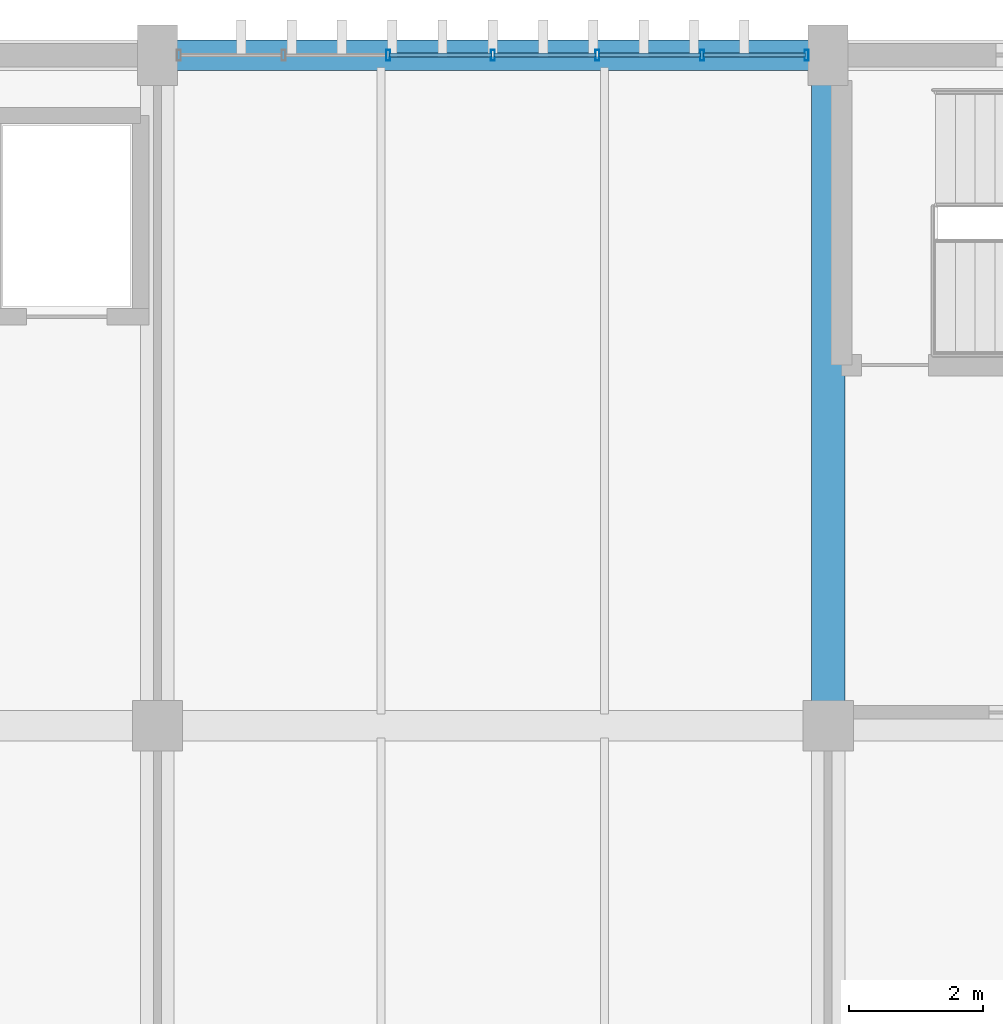
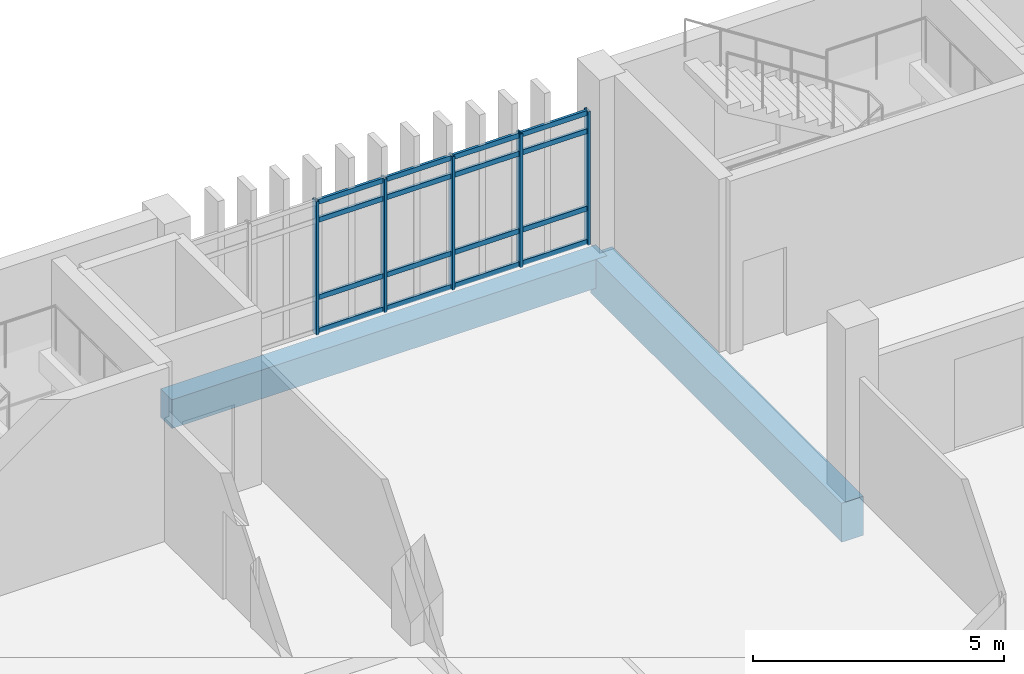
# One storey, part 57 of 111: 21 members, 2 beams, 1 element without a shape of its own.
"""IFC4 building model written with IfcOpenShell, lengths in metres."""

from ifc_helpers import new_model, si_unit, direction, frame, origin, origin_2d, place, context, subcontext, project, spatial, rectangle, hollow_rectangle, extrude, material, layer, layer_set, material_profile, profile_set, type_object, element, aggregate, save


model = new_model("IFC4")

# Units and contexts
model_context = context("Model", 3, precision=1e-05, world=origin(), true_north=direction((0.0, 1.0)))
body_context = subcontext(model_context, "Body", "Model", "MODEL_VIEW")
ifc_project = project(units=[si_unit("LENGTHUNIT", "METRE"), si_unit("AREAUNIT", "SQUARE_METRE"), si_unit("VOLUMEUNIT", "CUBIC_METRE"), si_unit("PLANEANGLEUNIT", "RADIAN"), si_unit("MASSUNIT", "GRAM", prefix="KILO")], contexts=[model_context])

# Site, building, storey
site_placement = place(None, origin())
site = spatial("IfcSite", under=ifc_project, at=site_placement, CompositionType="ELEMENT")
building_placement = place(site_placement, origin())
building = spatial("IfcBuilding", under=site, at=building_placement, Name="Mersad Railyard Sports Hall", CompositionType="ELEMENT")
storey_placement = place(building_placement, frame((0.0, 0.0, 9.0)))
storey = spatial("IfcBuildingStorey", under=building, at=storey_placement, Name="L02", CompositionType="ELEMENT", Elevation=9.0)

# Curtain wall, members
ifc_material_1 = material(Name="Aluminium 6063-T6", Category="aluminium")
ifc_layer = layer(ifc_material_1, 0.159912109375)
ifc_layer_set = layer_set([ifc_layer], Name="Aluminium 6063-T6")
curtain_wall_type = type_object("IfcCurtainWallType", Name="ARC-CW-CW53", PredefinedType="USERDEFINED", material=ifc_layer_set)
curtain_wall_placement = place(storey_placement, origin())
curtain_wall = element("IfcCurtainWall", 1, at=curtain_wall_placement, inside=storey, type_object=curtain_wall_type, Name="Curtain wall CW53-0141", ObjectType="CURTAIN WALL", PredefinedType="USERDEFINED")
ifc_material_profile_1 = material_profile(ifc_material_1, hollow_rectangle(XDim=0.06005859375, YDim=0.159912109375, WallThickness=0.00390625, at=origin_2d()), Name="AL MULLION 60x160x4")
ifc_profile_set_1 = profile_set([ifc_material_profile_1], Name="Aluminium 6063-T6")
member_type_1 = type_object("IfcMemberType", Name="ARC-CW-MUL01", PredefinedType="MULLION", material=ifc_profile_set_1)
member_1_placement = place(storey_placement, frame((104.43994140625, 115.0, -0.02001953125), z_axis=(0.0, 0.0, 1.0), x_axis=(1.0, 0.0, 0.0)))
member_1 = element("IfcMember", 2, at=member_1_placement, type_object=member_type_1, Name="CW53 Mullion 3", PredefinedType="MULLION", context=body_context, shape_type="SweptSolid", body=[
    extrude(hollow_rectangle(XDim=0.06005859375, YDim=0.159912109375, WallThickness=0.00390625, at=origin_2d()), origin(), (0.0, 0.0, 1.0), 3.25),
])
member_2_placement = place(storey_placement, frame((106.0, 115.0, -0.02001953125), z_axis=(0.0, 0.0, 1.0), x_axis=(1.0, 0.0, 0.0)))
member_2 = element("IfcMember", 3, at=member_2_placement, type_object=member_type_1, Name="CW53 Mullion 4", PredefinedType="MULLION", context=body_context, shape_type="SweptSolid", body=[
    extrude(hollow_rectangle(XDim=0.06005859375, YDim=0.159912109375, WallThickness=0.00390625, at=origin_2d()), origin(), (0.0, 0.0, 1.0), 3.25),
])
member_3_placement = place(storey_placement, frame((107.56005859375, 115.0, -0.02001953125), z_axis=(0.0, 0.0, 1.0), x_axis=(1.0, 0.0, 0.0)))
member_3 = element("IfcMember", 4, at=member_3_placement, type_object=member_type_1, Name="CW53 Mullion 5", PredefinedType="MULLION", context=body_context, shape_type="SweptSolid", body=[
    extrude(hollow_rectangle(XDim=0.06005859375, YDim=0.159912109375, WallThickness=0.00390625, at=origin_2d()), origin(), (0.0, 0.0, 1.0), 3.25),
])
member_4_placement = place(storey_placement, frame((109.1201171875, 115.0, -0.02001953125), z_axis=(0.0, 0.0, 1.0), x_axis=(1.0, 0.0, 0.0)))
member_4 = element("IfcMember", 5, at=member_4_placement, type_object=member_type_1, Name="CW53 Mullion 6", PredefinedType="MULLION", context=body_context, shape_type="SweptSolid", body=[
    extrude(hollow_rectangle(XDim=0.06005859375, YDim=0.159912109375, WallThickness=0.00390625, at=origin_2d()), origin(), (0.0, 0.0, 1.0), 3.25),
])
member_5_placement = place(storey_placement, frame((110.679931640625, 115.0, -0.02001953125), z_axis=(0.0, 0.0, 1.0), x_axis=(1.0, 0.0, 0.0)))
member_5 = element("IfcMember", 6, at=member_5_placement, type_object=member_type_1, Name="CW53 Mullion 7", PredefinedType="MULLION", context=body_context, shape_type="SweptSolid", body=[
    extrude(hollow_rectangle(XDim=0.06005859375, YDim=0.159912109375, WallThickness=0.00390625, at=origin_2d()), origin(), (0.0, 0.0, 1.0), 3.25),
])
ifc_material_profile_2 = material_profile(ifc_material_1, hollow_rectangle(XDim=0.06005859375, YDim=0.1201171875, WallThickness=0.00390625, at=origin_2d()), Name="AL TRANSOM 60x120x4")
ifc_profile_set_2 = profile_set([ifc_material_profile_2], Name="Aluminium 6063-T6")
member_type_2 = type_object("IfcMemberType", Name="ARC-CW-TRN01", PredefinedType="USERDEFINED", material=ifc_profile_set_2)
member_6_placement = place(storey_placement, frame((104.4599609375, 115.0, 0.0400390625), z_axis=(1.0, 0.0, 0.0), x_axis=(0.0, 1.0, 0.0)))
member_6 = element("IfcMember", 7, at=member_6_placement, type_object=member_type_2, Name="CW53 Transom 1-3", ObjectType="TRANSOM", PredefinedType="USERDEFINED", context=body_context, shape_type="SweptSolid", body=[
    extrude(hollow_rectangle(XDim=0.06005859375, YDim=0.1201171875, WallThickness=0.00390625, at=origin_2d()), origin(), (0.0, 0.0, 1.0), 1.52001953125),
])
member_7_placement = place(storey_placement, frame((106.02001953125, 115.0, 0.0400390625), z_axis=(1.0, 0.0, 0.0), x_axis=(0.0, 1.0, 0.0)))
member_7 = element("IfcMember", 8, at=member_7_placement, type_object=member_type_2, Name="CW53 Transom 1-4", ObjectType="TRANSOM", PredefinedType="USERDEFINED", context=body_context, shape_type="SweptSolid", body=[
    extrude(hollow_rectangle(XDim=0.06005859375, YDim=0.1201171875, WallThickness=0.00390625, at=origin_2d()), origin(), (0.0, 0.0, 1.0), 1.52001953125),
])
member_8_placement = place(storey_placement, frame((107.580078125, 115.0, 0.0400390625), z_axis=(1.0, 0.0, 0.0), x_axis=(0.0, 1.0, 0.0)))
member_8 = element("IfcMember", 9, at=member_8_placement, type_object=member_type_2, Name="CW53 Transom 1-5", ObjectType="TRANSOM", PredefinedType="USERDEFINED", context=body_context, shape_type="SweptSolid", body=[
    extrude(hollow_rectangle(XDim=0.06005859375, YDim=0.1201171875, WallThickness=0.00390625, at=origin_2d()), origin(), (0.0, 0.0, 1.0), 1.52001953125),
])
member_9_placement = place(storey_placement, frame((109.139892578125, 115.0, 0.0400390625), z_axis=(1.0, 0.0, 0.0), x_axis=(0.0, 1.0, 0.0)))
member_9 = element("IfcMember", 10, at=member_9_placement, type_object=member_type_2, Name="CW53 Transom 1-6", ObjectType="TRANSOM", PredefinedType="USERDEFINED", context=body_context, shape_type="SweptSolid", body=[
    extrude(hollow_rectangle(XDim=0.06005859375, YDim=0.1201171875, WallThickness=0.00390625, at=origin_2d()), origin(), (0.0, 0.0, 1.0), 1.52001953125),
])
member_10_placement = place(storey_placement, frame((104.4599609375, 115.0, 0.85009765625), z_axis=(1.0, 0.0, 0.0), x_axis=(0.0, 1.0, 0.0)))
member_10 = element("IfcMember", 11, at=member_10_placement, type_object=member_type_2, Name="CW53 Transom 2-3", ObjectType="TRANSOM", PredefinedType="USERDEFINED", context=body_context, shape_type="SweptSolid", body=[
    extrude(hollow_rectangle(XDim=0.06005859375, YDim=0.1201171875, WallThickness=0.00390625, at=origin_2d()), origin(), (0.0, 0.0, 1.0), 1.52001953125),
])
member_11_placement = place(storey_placement, frame((106.02001953125, 115.0, 0.85009765625), z_axis=(1.0, 0.0, 0.0), x_axis=(0.0, 1.0, 0.0)))
member_11 = element("IfcMember", 12, at=member_11_placement, type_object=member_type_2, Name="CW53 Transom 2-4", ObjectType="TRANSOM", PredefinedType="USERDEFINED", context=body_context, shape_type="SweptSolid", body=[
    extrude(hollow_rectangle(XDim=0.06005859375, YDim=0.1201171875, WallThickness=0.00390625, at=origin_2d()), origin(), (0.0, 0.0, 1.0), 1.52001953125),
])
member_12_placement = place(storey_placement, frame((107.580078125, 115.0, 0.85009765625), z_axis=(1.0, 0.0, 0.0), x_axis=(0.0, 1.0, 0.0)))
member_12 = element("IfcMember", 13, at=member_12_placement, type_object=member_type_2, Name="CW53 Transom 2-5", ObjectType="TRANSOM", PredefinedType="USERDEFINED", context=body_context, shape_type="SweptSolid", body=[
    extrude(hollow_rectangle(XDim=0.06005859375, YDim=0.1201171875, WallThickness=0.00390625, at=origin_2d()), origin(), (0.0, 0.0, 1.0), 1.52001953125),
])
member_13_placement = place(storey_placement, frame((109.139892578125, 115.0, 0.85009765625), z_axis=(1.0, 0.0, 0.0), x_axis=(0.0, 1.0, 0.0)))
member_13 = element("IfcMember", 14, at=member_13_placement, type_object=member_type_2, Name="CW53 Transom 2-6", ObjectType="TRANSOM", PredefinedType="USERDEFINED", context=body_context, shape_type="SweptSolid", body=[
    extrude(hollow_rectangle(XDim=0.06005859375, YDim=0.1201171875, WallThickness=0.00390625, at=origin_2d()), origin(), (0.0, 0.0, 1.0), 1.52001953125),
])
member_14_placement = place(storey_placement, frame((104.4599609375, 115.0, 2.72998046875), z_axis=(1.0, 0.0, 0.0), x_axis=(0.0, 1.0, 0.0)))
member_14 = element("IfcMember", 15, at=member_14_placement, type_object=member_type_2, Name="CW53 Transom 3-3", ObjectType="TRANSOM", PredefinedType="USERDEFINED", context=body_context, shape_type="SweptSolid", body=[
    extrude(hollow_rectangle(XDim=0.06005859375, YDim=0.1201171875, WallThickness=0.00390625, at=origin_2d()), origin(), (0.0, 0.0, 1.0), 1.52001953125),
])
member_15_placement = place(storey_placement, frame((106.02001953125, 115.0, 2.72998046875), z_axis=(1.0, 0.0, 0.0), x_axis=(0.0, 1.0, 0.0)))
member_15 = element("IfcMember", 16, at=member_15_placement, type_object=member_type_2, Name="CW53 Transom 3-4", ObjectType="TRANSOM", PredefinedType="USERDEFINED", context=body_context, shape_type="SweptSolid", body=[
    extrude(hollow_rectangle(XDim=0.06005859375, YDim=0.1201171875, WallThickness=0.00390625, at=origin_2d()), origin(), (0.0, 0.0, 1.0), 1.52001953125),
])
member_16_placement = place(storey_placement, frame((107.580078125, 115.0, 2.72998046875), z_axis=(1.0, 0.0, 0.0), x_axis=(0.0, 1.0, 0.0)))
member_16 = element("IfcMember", 17, at=member_16_placement, type_object=member_type_2, Name="CW53 Transom 3-5", ObjectType="TRANSOM", PredefinedType="USERDEFINED", context=body_context, shape_type="SweptSolid", body=[
    extrude(hollow_rectangle(XDim=0.06005859375, YDim=0.1201171875, WallThickness=0.00390625, at=origin_2d()), origin(), (0.0, 0.0, 1.0), 1.52001953125),
])
member_17_placement = place(storey_placement, frame((109.139892578125, 115.0, 2.72998046875), z_axis=(1.0, 0.0, 0.0), x_axis=(0.0, 1.0, 0.0)))
member_17 = element("IfcMember", 18, at=member_17_placement, type_object=member_type_2, Name="CW53 Transom 3-6", ObjectType="TRANSOM", PredefinedType="USERDEFINED", context=body_context, shape_type="SweptSolid", body=[
    extrude(hollow_rectangle(XDim=0.06005859375, YDim=0.1201171875, WallThickness=0.00390625, at=origin_2d()), origin(), (0.0, 0.0, 1.0), 1.52001953125),
])
member_18_placement = place(storey_placement, frame((104.4599609375, 115.0, 3.169921875), z_axis=(1.0, 0.0, 0.0), x_axis=(0.0, 1.0, 0.0)))
member_18 = element("IfcMember", 19, at=member_18_placement, type_object=member_type_2, Name="CW53 Transom 4-3", ObjectType="TRANSOM", PredefinedType="USERDEFINED", context=body_context, shape_type="SweptSolid", body=[
    extrude(hollow_rectangle(XDim=0.06005859375, YDim=0.1201171875, WallThickness=0.00390625, at=origin_2d()), origin(), (0.0, 0.0, 1.0), 1.52001953125),
])
member_19_placement = place(storey_placement, frame((106.02001953125, 115.0, 3.169921875), z_axis=(1.0, 0.0, 0.0), x_axis=(0.0, 1.0, 0.0)))
member_19 = element("IfcMember", 20, at=member_19_placement, type_object=member_type_2, Name="CW53 Transom 4-4", ObjectType="TRANSOM", PredefinedType="USERDEFINED", context=body_context, shape_type="SweptSolid", body=[
    extrude(hollow_rectangle(XDim=0.06005859375, YDim=0.1201171875, WallThickness=0.00390625, at=origin_2d()), origin(), (0.0, 0.0, 1.0), 1.52001953125),
])
member_20_placement = place(storey_placement, frame((107.580078125, 115.0, 3.169921875), z_axis=(1.0, 0.0, 0.0), x_axis=(0.0, 1.0, 0.0)))
member_20 = element("IfcMember", 21, at=member_20_placement, type_object=member_type_2, Name="CW53 Transom 4-5", ObjectType="TRANSOM", PredefinedType="USERDEFINED", context=body_context, shape_type="SweptSolid", body=[
    extrude(hollow_rectangle(XDim=0.06005859375, YDim=0.1201171875, WallThickness=0.00390625, at=origin_2d()), origin(), (0.0, 0.0, 1.0), 1.52001953125),
])
member_21_placement = place(storey_placement, frame((109.139892578125, 115.0, 3.169921875), z_axis=(1.0, 0.0, 0.0), x_axis=(0.0, 1.0, 0.0)))
member_21 = element("IfcMember", 22, at=member_21_placement, type_object=member_type_2, Name="CW53 Transom 4-6", ObjectType="TRANSOM", PredefinedType="USERDEFINED", context=body_context, shape_type="SweptSolid", body=[
    extrude(hollow_rectangle(XDim=0.06005859375, YDim=0.1201171875, WallThickness=0.00390625, at=origin_2d()), origin(), (0.0, 0.0, 1.0), 1.52001953125),
])
aggregate(curtain_wall, [member_1, member_2, member_3, member_4, member_5, member_6, member_7, member_8, member_9, member_10, member_11, member_12, member_13, member_14, member_15, member_16, member_17, member_18, member_19, member_20, member_21])

# Beams
ifc_material_2 = material(Name="Concrete C50/60", Category="concrete")
ifc_material_profile_3 = material_profile(ifc_material_2, rectangle(XDim=0.5, YDim=0.949951171875, at=origin_2d()), Name="RC 500x950")
ifc_profile_set_3 = profile_set([ifc_material_profile_3], Name="Concrete C50/60")
beam_type_1 = type_object("IfcBeamType", Name="STR-BM-B03", PredefinedType="BEAM", material=ifc_profile_set_3)
beam_1_placement = place(storey_placement, frame((111.0, 105.0, -0.77490234375), z_axis=(0.0, 1.0, 0.0), x_axis=(-1.0, 0.0, 0.0)))
element("IfcBeam", 23, at=beam_1_placement, inside=storey, type_object=beam_type_1, Name="Beam B03-1117", PredefinedType="BEAM", context=body_context, shape_type="SweptSolid", body=[
    extrude(rectangle(XDim=0.5, YDim=0.949951171875, at=origin_2d()), origin(), (0.0, 0.0, 1.0), 10.0),
])
ifc_material_3 = material(Name="Architectural concrete C40/50", Category="concrete")
ifc_material_profile_4 = material_profile(ifc_material_3, rectangle(XDim=0.449951171875, YDim=0.699951171875, at=origin_2d()), Name="RC 450x700")
ifc_profile_set_4 = profile_set([ifc_material_profile_4], Name="Architectural concrete C40/50")
beam_type_2 = type_object("IfcBeamType", Name="STR-BM-SP01", PredefinedType="SPANDREL", material=ifc_profile_set_4)
beam_2_placement = place(storey_placement, frame((101.0, 115.0, -0.64990234375), z_axis=(1.0, 0.0, 0.0), x_axis=(0.0, 1.0, 0.0)))
element("IfcBeam", 24, at=beam_2_placement, inside=storey, type_object=beam_type_2, Name="Beam SP01-1094", PredefinedType="SPANDREL", context=body_context, shape_type="SweptSolid", body=[
    extrude(rectangle(XDim=0.449951171875, YDim=0.699951171875, at=origin_2d()), origin(), (0.0, 0.0, 1.0), 10.0),
])

save(model, "model.ifc")
